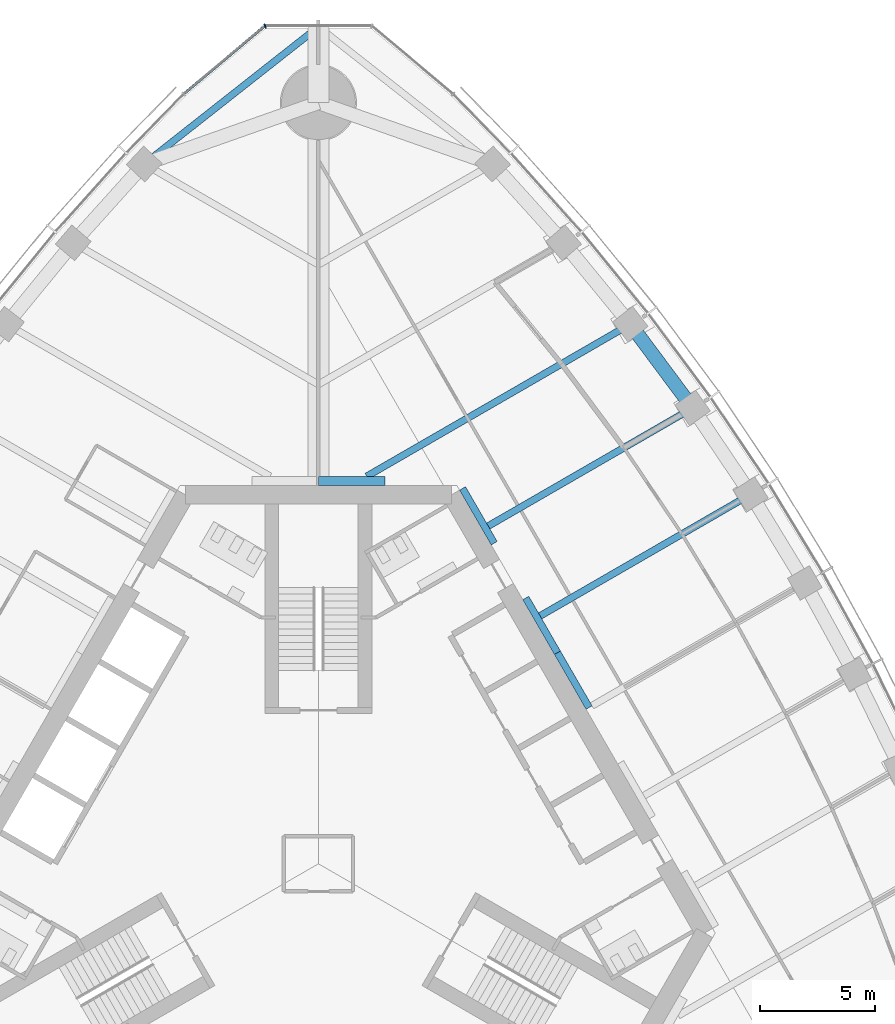
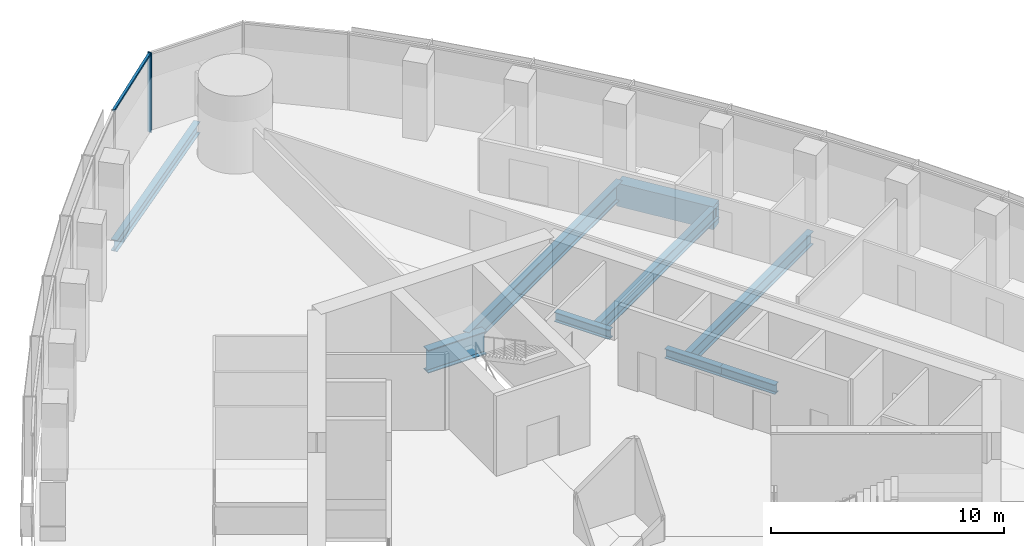
# One storey, part 6 of 20: 9 beams, 2 members, 1 element without a shape of its own.
"""IFC4 building model written with IfcOpenShell, lengths in metres."""

from ifc_helpers import new_model, si_unit, direction, frame, origin, origin_2d, place, context, subcontext, project, spatial, rectangle, i_section, extrude, material, material_profile, profile_set, type_object, element, aggregate, save


model = new_model("IFC4")

# Units and contexts
model_context = context("Model", 3, precision=1e-05, world=origin(), true_north=direction((0.0, 1.0)))
body_context = subcontext(model_context, "Body", "Model", "MODEL_VIEW")
ifc_project = project(units=[si_unit("LENGTHUNIT", "METRE"), si_unit("AREAUNIT", "SQUARE_METRE"), si_unit("VOLUMEUNIT", "CUBIC_METRE"), si_unit("PLANEANGLEUNIT", "RADIAN"), si_unit("MASSUNIT", "GRAM", prefix="KILO")], contexts=[model_context])

# Site, building, storey
site_placement = place(None, origin())
site = spatial("IfcSite", under=ifc_project, at=site_placement, CompositionType="ELEMENT")
building_placement = place(site_placement, origin())
building = spatial("IfcBuilding", under=site, at=building_placement, Name="Trefoil Bronze Tower", CompositionType="ELEMENT")
storey_placement = place(building_placement, frame((0.0, 0.0, 210.699951171875)))
storey = spatial("IfcBuildingStorey", under=building, at=storey_placement, Name="L48", CompositionType="ELEMENT", Elevation=210.699951171875)

# Curtain wall, members
ifc_material_1 = material(Name="Tinted solar-control glass", Category="glass")
curtain_wall_type = type_object("IfcCurtainWallType", Name="Bronze rounded corner curtain wall", PredefinedType="USERDEFINED", material=ifc_material_1)
curtain_wall_placement = place(storey_placement, origin())
curtain_wall = element("IfcCurtainWall", 1, at=curtain_wall_placement, inside=storey, type_object=curtain_wall_type, Name="CW-B L48 K2", ObjectType="CURTAIN WALL", PredefinedType="USERDEFINED")
ifc_material_2 = material(Name="Bronze-finish aluminium", Category="aluminium")
ifc_material_profile_1 = material_profile(ifc_material_2, rectangle(XDim=0.199951171875, YDim=0.06005859375, at=origin_2d()), Name="CW-B mullion")
ifc_profile_set_1 = profile_set([ifc_material_profile_1], Name="Bronze-finish aluminium")
member_type_1 = type_object("IfcMemberType", Name="Bronze rounded corner curtain wall mullion", PredefinedType="MULLION", material=ifc_profile_set_1)
member_1_placement = place(storey_placement, frame((-2.314453125, 36.326416015625, 0.0), z_axis=(0.0, 0.0, 1.0), x_axis=(0.342020143326, -0.939692620786, 0.0)))
member_1 = element("IfcMember", 2, at=member_1_placement, type_object=member_type_1, Name="CW-B L48 K2 mullion 3", PredefinedType="MULLION", context=body_context, shape_type="SweptSolid", body=[
    extrude(rectangle(XDim=0.199951171875, YDim=0.06005859375, at=origin_2d()), origin(), (0.0, 0.0, 1.0), 4.179931640625),
])
ifc_material_3 = material(Name="Bronze-finish aluminium", Category="aluminium")
ifc_material_profile_2 = material_profile(ifc_material_3, rectangle(XDim=0.1201171875, YDim=0.10009765625, at=origin_2d()), Name="CW-B transom")
ifc_profile_set_2 = profile_set([ifc_material_profile_2], Name="Bronze-finish aluminium")
member_type_2 = type_object("IfcMemberType", Name="Bronze rounded corner curtain wall transom", PredefinedType="USERDEFINED", material=ifc_profile_set_2)
member_2_placement = place(storey_placement, frame((-2.367431640625, 36.289794921875, 4.130126953125), z_axis=(-0.766046761698, -0.642784846501, 0.0), x_axis=(0.642784846501, -0.766046761698, 0.0)))
member_2 = element("IfcMember", 3, at=member_2_placement, type_object=member_type_2, Name="CW-B L48 K2 transom 3", ObjectType="TRANSOM", PredefinedType="USERDEFINED", context=body_context, shape_type="SweptSolid", body=[
    extrude(rectangle(XDim=0.1201171875, YDim=0.10009765625, at=origin_2d()), origin(), (0.0, 0.0, 1.0), 4.5),
])
aggregate(curtain_wall, [member_1, member_2])

# Beams
ifc_material_4 = material(Name="Steel C355", Category="steel")
ifc_material_profile_3 = material_profile(ifc_material_4, i_section(OverallWidth=0.300048828125, OverallDepth=0.5, WebThickness=0.014404296875, FlangeThickness=0.028076171875, FilletRadius=0.027099609375, at=origin_2d()), Name="HEB 500")
ifc_profile_set_3 = profile_set([ifc_material_profile_3], Name="Steel C355")
beam_type_1 = type_object("IfcBeamType", Name="Core seat beam HEB 500", PredefinedType="BEAM", material=ifc_profile_set_3)
for number, where, z_axis, x_axis, name in (
    (4, (11.734619140625, 6.77490234375, -0.449951171875), (-0.499969057507, 0.866043267704, 0.0), (-0.866043267704, -0.499969057507, 0.0), "Core seat beam F2/+0 L48"),
    (5, (10.363525390625, 9.14990234375, -0.449951171875), (-0.500035825175, 0.866004719122, 0.0), (-0.866004719122, -0.500035825175, 0.0), "Core seat beam F2/+1 L48"),
    (6, (7.62109375, 13.89990234375, -0.449951171875), (-0.500035825175, 0.866004719122, 0.0), (-0.866004719122, -0.500035825175, 0.0), "Core seat beam F2/+2 L48"),
):
    element("IfcBeam", number, at=place(storey_placement, frame(where, z_axis=z_axis, x_axis=x_axis)), inside=storey, type_object=beam_type_1, Name=name, PredefinedType="BEAM", context=body_context, shape_type="SweptSolid", body=[
        extrude(i_section(OverallWidth=0.300048828125, OverallDepth=0.5, WebThickness=0.014404296875, FlangeThickness=0.028076171875, FilletRadius=0.027099609375, at=origin_2d()), origin(), (0.0, 0.0, 1.0), 2.742431640625),
    ])
ifc_material_5 = material(Name="Steel C355", Category="steel")
ifc_material_profile_4 = material_profile(ifc_material_5, i_section(OverallWidth=0.39990234375, OverallDepth=1.199951171875, WebThickness=0.02001953125, FlangeThickness=0.0400390625, FilletRadius=0.010009765625, at=origin_2d()), Name="WPG 1200")
ifc_profile_set_4 = profile_set([ifc_material_profile_4], Name="Steel C355")
beam_type_2 = type_object("IfcBeamType", Name="Core seat beam WPG 1200", PredefinedType="BEAM", material=ifc_profile_set_4)
beam_1_placement = place(storey_placement, frame((2.88671875, 16.60009765625, -0.800048828125), z_axis=(-1.0, 0.0, 0.0), x_axis=(0.0, -1.0, 0.0)))
element("IfcBeam", 7, at=beam_1_placement, inside=storey, type_object=beam_type_2, Name="Core seat beam F2/+3 L48", PredefinedType="BEAM", context=body_context, shape_type="SweptSolid", body=[
    extrude(i_section(OverallWidth=0.39990234375, OverallDepth=1.199951171875, WebThickness=0.02001953125, FlangeThickness=0.0400390625, FilletRadius=0.010009765625, at=origin_2d()), origin(), (0.0, 0.0, 1.0), 2.88671875),
])
ifc_material_6 = material(Name="Steel C355", Category="steel")
ifc_material_profile_5 = material_profile(ifc_material_6, i_section(OverallWidth=0.300048828125, OverallDepth=0.60009765625, WebThickness=0.015380859375, FlangeThickness=0.030029296875, FilletRadius=0.027099609375, at=origin_2d()), Name="HEB 600")
ifc_profile_set_5 = profile_set([ifc_material_profile_5], Name="Steel C355")
beam_type_3 = type_object("IfcBeamType", Name="Corner edge beam HEB 600", PredefinedType="BEAM", material=ifc_profile_set_5)
beam_2_placement = place(storey_placement, frame((-7.552001953125, 30.3408203125, -0.5), z_axis=(0.785805912008, 0.618473175371, 0.0), x_axis=(-0.618473175371, 0.785805912008, 0.0)))
element("IfcBeam", 8, at=beam_2_placement, inside=storey, type_object=beam_type_3, Name="Corner edge beam F3B L48", PredefinedType="BEAM", context=body_context, shape_type="SweptSolid", body=[
    extrude(i_section(OverallWidth=0.300048828125, OverallDepth=0.60009765625, WebThickness=0.015380859375, FlangeThickness=0.030029296875, FilletRadius=0.027099609375, at=origin_2d()), origin(), (0.0, 0.0, 1.0), 9.610595703125),
])
ifc_material_7 = material(Name="Steel C355", Category="steel")
ifc_material_profile_6 = material_profile(ifc_material_7, i_section(OverallWidth=0.300048828125, OverallDepth=0.699951171875, WebThickness=0.01708984375, FlangeThickness=0.031982421875, FilletRadius=0.027099609375, at=origin_2d()), Name="HEB 700")
ifc_profile_set_6 = profile_set([ifc_material_profile_6], Name="Steel C355")
beam_type_4 = type_object("IfcBeamType", Name="Floor beam HEB 700", PredefinedType="BEAM", material=ifc_profile_set_6)
beam_3_placement = place(storey_placement, frame((18.748046875, 16.020263671875, -0.550048828125), z_axis=(-0.866027918957, -0.499995643569, 0.0), x_axis=(0.499995643569, -0.866027918957, 0.0)))
element("IfcBeam", 9, at=beam_3_placement, inside=storey, type_object=beam_type_4, Name="Floor beam F2/+1 L48", PredefinedType="BEAM", context=body_context, shape_type="SweptSolid", body=[
    extrude(i_section(OverallWidth=0.300048828125, OverallDepth=0.699951171875, WebThickness=0.01708984375, FlangeThickness=0.031982421875, FilletRadius=0.027099609375, at=origin_2d()), origin(), (0.0, 0.0, 1.0), 10.54638671875),
])
beam_4_placement = place(storey_placement, frame((16.2265625, 19.7607421875, -0.550048828125), z_axis=(-0.866027856548, -0.499995751665, 0.0), x_axis=(0.499995751665, -0.866027856548, 0.0)))
element("IfcBeam", 10, at=beam_4_placement, inside=storey, type_object=beam_type_4, Name="Floor beam F2/+2 L48", PredefinedType="BEAM", context=body_context, shape_type="SweptSolid", body=[
    extrude(i_section(OverallWidth=0.300048828125, OverallDepth=0.699951171875, WebThickness=0.01708984375, FlangeThickness=0.031982421875, FilletRadius=0.027099609375, at=origin_2d()), origin(), (0.0, 0.0, 1.0), 10.23291015625),
])
ifc_material_8 = material(Name="Steel C355", Category="steel")
ifc_material_profile_7 = material_profile(ifc_material_8, i_section(OverallWidth=0.300048828125, OverallDepth=0.89990234375, WebThickness=0.0185546875, FlangeThickness=0.034912109375, FilletRadius=0.030029296875, at=origin_2d()), Name="HEB 900")
ifc_profile_set_7 = profile_set([ifc_material_profile_7], Name="Steel C355")
beam_type_5 = type_object("IfcBeamType", Name="Floor beam HEB 900", PredefinedType="BEAM", material=ifc_profile_set_7)
beam_5_placement = place(storey_placement, frame((13.522216796875, 23.3955078125, -0.64990234375), z_axis=(-0.866028399451, -0.499994811317, 0.0), x_axis=(0.499994811317, -0.866028399451, 0.0)))
element("IfcBeam", 11, at=beam_5_placement, inside=storey, type_object=beam_type_5, Name="Floor beam F2/+3 L48", PredefinedType="BEAM", context=body_context, shape_type="SweptSolid", body=[
    extrude(i_section(OverallWidth=0.300048828125, OverallDepth=0.89990234375, WebThickness=0.0185546875, FlangeThickness=0.034912109375, FilletRadius=0.030029296875, at=origin_2d()), origin(), (0.0, 0.0, 1.0), 13.191162109375),
])
ifc_material_9 = material(Name="Concrete B80", Category="concrete")
ifc_material_profile_8 = material_profile(ifc_material_9, rectangle(XDim=0.60009765625, YDim=1.199951171875, at=origin_2d()), Name="RC 600x1200")
ifc_profile_set_8 = profile_set([ifc_material_profile_8], Name="Concrete B80")
beam_type_6 = type_object("IfcBeamType", Name="Spandrel beam RC 600x1200", PredefinedType="SPANDREL", material=ifc_profile_set_8)
beam_6_placement = place(storey_placement, frame((16.2265625, 19.7607421875, -0.800048828125), z_axis=(-0.596926078257, 0.802296240236, 0.0), x_axis=(-0.802296240236, -0.596926078257, 0.0)))
element("IfcBeam", 12, at=beam_6_placement, inside=storey, type_object=beam_type_6, Name="Spandrel F2.9 L48", PredefinedType="SPANDREL", context=body_context, shape_type="SweptSolid", body=[
    extrude(rectangle(XDim=0.60009765625, YDim=1.199951171875, at=origin_2d()), origin(), (0.0, 0.0, 1.0), 4.530517578125),
])

save(model, "model.ifc")
